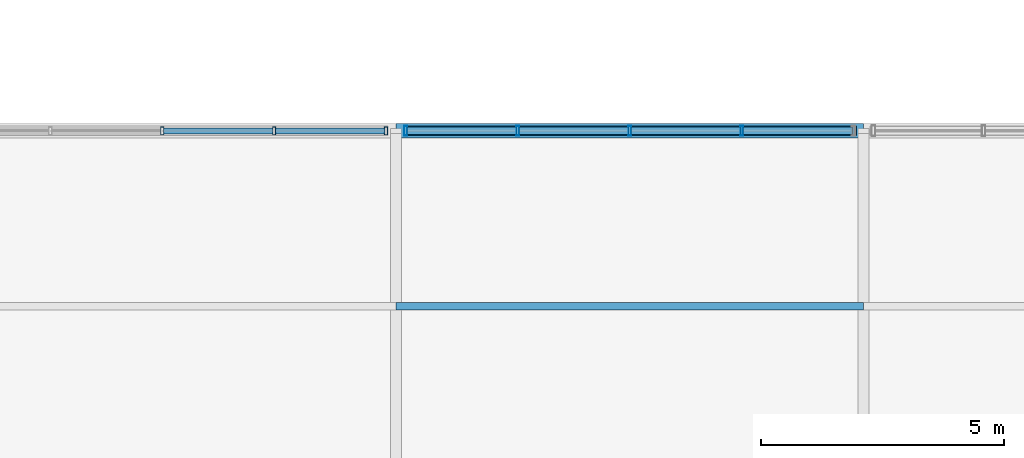
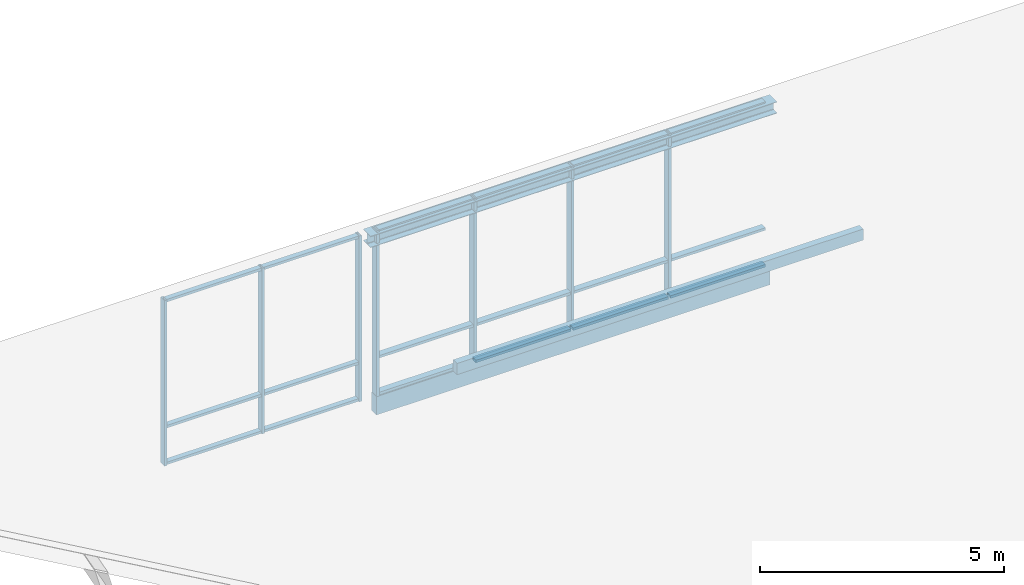
# One storey, part 19 of 32: 26 members, 2 beams, 2 elements without a shape of their own.
"""IFC4 building model written with IfcOpenShell, lengths in metres."""

import ifcopenshell
import ifcopenshell.guid

model = None  # the IFC model being written
_history = None  # IfcOwnerHistory: only IFC2X3 demands one
_inside = {}  # id of a spatial element -> (the spatial element, [elements in it])
_under = {}  # id of a project, library or spatial element -> (it, [spatial elements below it])
_declared = {}  # id of a project -> (the project, [libraries it declares])
_typed = {}  # id of a type object -> (the type object, [elements of that type])
_made_of = {}  # id of a material, layer set ... -> (it, [elements and type objects made of it])


def new_model(schema):
    """Start an empty IFC model of exactly this schema.

    Asked for "IFC4X3", IfcOpenShell would pick the latest addendum, in which some entities
    have other attributes; the version numbers below select the first issue.
    IFC2X3 requires an IfcOwnerHistory on every rooted entity: one is made here for all.
    """
    global model, _history
    if schema == "IFC4X3":
        model = ifcopenshell.file(schema_version=(4, 3, 0, 0))
    else:
        model = ifcopenshell.file(schema=schema)
    _inside.clear()
    _under.clear()
    _declared.clear()
    _typed.clear()
    _made_of.clear()
    _history = None
    if model.schema == "IFC2X3":
        org = make("IfcOrganization", Name="unknown")
        user = make(
            "IfcPersonAndOrganization",
            ThePerson=make("IfcPerson", FamilyName="unknown"),
            TheOrganization=org,
        )
        app = make(
            "IfcApplication",
            ApplicationDeveloper=org,
            Version="unknown",
            ApplicationFullName="unknown",
            ApplicationIdentifier="unknown",
        )
        _history = make(
            "IfcOwnerHistory",
            OwningUser=user,
            OwningApplication=app,
            ChangeAction="ADDED",
            CreationDate=0,
        )
    return model


def make(cls, **values):
    """One entity of the class cls with the attributes given. An attribute that is None is left unset."""
    return model.create_entity(
        cls, **{name: value for name, value in values.items() if value is not None}
    )


def rooted(cls, **values):
    """An entity with a GlobalId (a new one), such as an element, a storey or a relation."""
    return make(cls, GlobalId=ifcopenshell.guid.new(), OwnerHistory=_history, **values)


def si_unit(unit_type, name, prefix=None):
    """IfcSIUnit, for example si_unit("LENGTHUNIT", "METRE", prefix="MILLI")."""
    return make("IfcSIUnit", UnitType=unit_type, Prefix=prefix, Name=name)


def assignment(units):
    """IfcUnitAssignment: the units of a project."""
    return None if units is None else make("IfcUnitAssignment", Units=units)


def point(xyz):
    """IfcCartesianPoint."""
    return None if xyz is None else make("IfcCartesianPoint", Coordinates=xyz)


def direction(xyz):
    """IfcDirection."""
    return None if xyz is None else make("IfcDirection", DirectionRatios=xyz)


def frame(location, z_axis=None, x_axis=None):
    """IfcAxis2Placement3D, a coordinate frame: its origin and axes. An axis left out is left unset."""
    return make(
        "IfcAxis2Placement3D",
        Location=point(location),
        Axis=direction(z_axis),
        RefDirection=direction(x_axis),
    )


def frame_2d(location, x_axis=None):
    """IfcAxis2Placement2D, a coordinate frame in the plane: its origin and x axis."""
    return make(
        "IfcAxis2Placement2D", Location=point(location), RefDirection=direction(x_axis)
    )


def origin():
    """The frame at (0, 0, 0) with its axes left unset."""
    return frame((0.0, 0.0, 0.0))


def origin_2d():
    """The frame at (0, 0) in the plane with its x axis left unset."""
    return frame_2d((0.0, 0.0))


def place(relative_to, where):
    """IfcLocalPlacement: puts the frame where relative to a parent placement (None: the world)."""
    return make(
        "IfcLocalPlacement", PlacementRelTo=relative_to, RelativePlacement=where
    )


def context(
    kind, dimensions, precision=None, world=None, true_north=None, identifier=None
):
    """IfcGeometricRepresentationContext, for example the 3D "Model" context."""
    return make(
        "IfcGeometricRepresentationContext",
        ContextIdentifier=identifier,
        ContextType=kind,
        CoordinateSpaceDimension=dimensions,
        Precision=precision,
        WorldCoordinateSystem=world,
        TrueNorth=true_north,
    )


def subcontext(parent, identifier, kind, view, scale=None):
    """IfcGeometricRepresentationSubContext, for example "Body" below "Model"."""
    return make(
        "IfcGeometricRepresentationSubContext",
        ContextIdentifier=identifier,
        ContextType=kind,
        ParentContext=parent,
        TargetScale=scale,
        TargetView=view,
    )


def project(units=None, contexts=None):
    """IfcProject with its units and contexts."""
    return rooted(
        "IfcProject",
        Name="project",
        RepresentationContexts=contexts,
        UnitsInContext=assignment(units),
    )


def spatial(cls, under=None, at=None, **own):
    """A site, building, storey or space (cls), placed at a placement, below another one or the project."""
    s = rooted(cls, ObjectPlacement=at, **own)
    if under is not None:
        _under.setdefault(under.id(), (under, []))[1].append(s)
    return s


def profile(cls, at=None, kind="AREA", **sizes):
    """A parametric profile (cls). Its sizes go by their IFC names, for example OverallWidth=200.0."""
    return make(cls, ProfileType=kind, Position=at, **sizes)


def rectangle(**sizes):
    """IfcRectangleProfileDef."""
    return profile("IfcRectangleProfileDef", **sizes)


def hollow_rectangle(**sizes):
    """IfcRectangleHollowProfileDef."""
    return profile("IfcRectangleHollowProfileDef", **sizes)


def i_section(**sizes):
    """IfcIShapeProfileDef."""
    return profile("IfcIShapeProfileDef", **sizes)


def extrude(swept, where, along, depth):
    """IfcExtrudedAreaSolid: the profile swept, set in the frame where, extruded along a direction by depth."""
    return make(
        "IfcExtrudedAreaSolid",
        SweptArea=swept,
        Position=where,
        ExtrudedDirection=direction(along),
        Depth=depth,
    )


def shape(context_of_items, identifier, shape_type, items):
    """IfcShapeRepresentation: the items that make up one representation, for example the "Body"."""
    return make(
        "IfcShapeRepresentation",
        ContextOfItems=context_of_items,
        RepresentationIdentifier=identifier,
        RepresentationType=shape_type,
        Items=items,
    )


def material(Name=None, Category=None):
    """IfcMaterial."""
    return make("IfcMaterial", Name=Name, Category=Category)


def material_profile(
    of_material, cross_section, Name=None, Category=None, Priority=None
):
    """IfcMaterialProfile: a cross section and its material."""
    return make(
        "IfcMaterialProfile",
        Name=Name,
        Material=of_material,
        Profile=cross_section,
        Priority=Priority,
        Category=Category,
    )


def profile_set(profiles, Name=None, composite=None):
    """IfcMaterialProfileSet."""
    return make(
        "IfcMaterialProfileSet",
        Name=Name,
        MaterialProfiles=profiles,
        CompositeProfile=composite,
    )


def made_of(thing, what):
    """Note that an element or type object is made of a material, layer set ...; save() writes the relation."""
    if what is not None:
        _made_of.setdefault(what.id(), (what, []))[1].append(thing)
    return thing


def type_object(cls, material=None, **own):
    """A type object (cls), such as IfcWallType, which elements share."""
    return made_of(rooted(cls, **own), material)


def element(
    cls,
    number,
    at=None,
    inside=None,
    cuts=None,
    type_object=None,
    material=None,
    context=None,
    identifier="Body",
    shape_type=None,
    held_by="IfcProductDefinitionShape",
    body=None,
    shapes=None,
    **own,
):
    """One element of the class cls, such as IfcWall. Its Tag is "e" and its number.

    at: its placement. inside: the storey or other place that contains it. cuts: it is an
    opening in that element (IfcRelVoidsElement). A single representation is given by context,
    identifier, shape_type and body (its items); several are given by shapes. held_by: the class
    of the entity that holds the representations. save() writes the other relations.
    """
    e = rooted(cls, Tag="e%d" % number, ObjectPlacement=at, **own)
    if body is not None:
        shapes = [shape(context, identifier, shape_type, body)]
    if shapes is not None:
        e.Representation = make(held_by, Representations=shapes)
    if inside is not None:
        _inside.setdefault(inside.id(), (inside, []))[1].append(e)
    if cuts is not None:
        rooted(
            "IfcRelVoidsElement", RelatingBuildingElement=cuts, RelatedOpeningElement=e
        )
    if type_object is not None:
        _typed.setdefault(type_object.id(), (type_object, []))[1].append(e)
    return made_of(e, material)


def aggregate(whole, parts):
    """IfcRelAggregates: a whole, such as a stair, and the parts it consists of."""
    return rooted("IfcRelAggregates", RelatingObject=whole, RelatedObjects=parts)


def save(model, path):
    """Write the relations noted so far, then the file.

    IfcRelAggregates (storeys below a building ...), IfcRelContainedInSpatialStructure (elements
    in a storey), IfcRelDefinesByType, IfcRelAssociatesMaterial and IfcRelDeclares: one each for
    every whole, place, type object, material and project.
    """
    for whole, parts in _under.values():
        aggregate(whole, parts)
    for where, things in _inside.values():
        rooted(
            "IfcRelContainedInSpatialStructure",
            RelatedElements=things,
            RelatingStructure=where,
        )
    for kind, things in _typed.values():
        rooted("IfcRelDefinesByType", RelatedObjects=things, RelatingType=kind)
    for what, things in _made_of.values():
        rooted("IfcRelAssociatesMaterial", RelatedObjects=things, RelatingMaterial=what)
    for by, libraries in _declared.values():
        rooted("IfcRelDeclares", RelatingContext=by, RelatedDefinitions=libraries)
    model.write(path)


model = new_model("IFC4")

# Units and contexts
model_context = context("Model", 3, precision=1e-05, world=origin(), true_north=direction((0.0, 1.0)))
body_context = subcontext(model_context, "Body", "Model", "MODEL_VIEW")
ifc_project = project(units=[si_unit("LENGTHUNIT", "METRE"), si_unit("AREAUNIT", "SQUARE_METRE"), si_unit("VOLUMEUNIT", "CUBIC_METRE"), si_unit("PLANEANGLEUNIT", "RADIAN"), si_unit("MASSUNIT", "GRAM", prefix="KILO")], contexts=[model_context])

# Site, building, storey
site_placement = place(None, origin())
site = spatial("IfcSite", under=ifc_project, at=site_placement, CompositionType="ELEMENT")
building_placement = place(site_placement, origin())
building = spatial("IfcBuilding", under=site, at=building_placement, Name="Hawrajan Terrace Health Centre", CompositionType="ELEMENT")
storey_placement = place(building_placement, frame((0.0, 0.0, 17.39990234375)))
storey = spatial("IfcBuildingStorey", under=building, at=storey_placement, Name="L04", CompositionType="ELEMENT", Elevation=17.39990234375)

# Curtain wall, members
ifc_material_1 = material(Name="Anodized bronze aluminium and low-E solar glazing", Category="aluminium")
curtain_wall_type = type_object("IfcCurtainWallType", Name="CW_Clerestory_SeriesG2", PredefinedType="USERDEFINED", material=ifc_material_1)
curtain_wall_1_placement = place(storey_placement, origin())
curtain_wall_1 = element("IfcCurtainWall", 1, at=curtain_wall_1_placement, inside=storey, type_object=curtain_wall_type, Name="Curtain wall CW-L04-CLER-183", ObjectType="UNITISED CURTAIN WALL", PredefinedType="USERDEFINED")
ifc_material_2 = material(Name="Anodized bronze aluminium 6063-T6", Category="aluminium")
ifc_material_profile_1 = material_profile(ifc_material_2, hollow_rectangle(XDim=0.06494140625, YDim=0.159912109375, WallThickness=0.00390625, at=origin_2d()), Name="CW MUL 65x160")
ifc_profile_set_1 = profile_set([ifc_material_profile_1], Name="Anodized bronze aluminium 6063-T6")
member_type_1 = type_object("IfcMemberType", Name="CWMullion_65x160", PredefinedType="MULLION", material=ifc_profile_set_1)
member_1_placement = place(storey_placement, frame((86.199951171875, 18.60009765625, -0.204833984375), z_axis=(0.0, 0.0, 1.0), x_axis=(1.0, 0.0, 0.0)))
member_1 = element("IfcMember", 2, at=member_1_placement, type_object=member_type_1, Name="Mullion CW-L04-CLER-183-M3", PredefinedType="MULLION", context=body_context, shape_type="SweptSolid", body=[
    extrude(hollow_rectangle(XDim=0.06494140625, YDim=0.159912109375, WallThickness=0.00390625, at=origin_2d()), origin(), (0.0, 0.0, 1.0), 4.138916015625),
])
member_2_placement = place(storey_placement, frame((88.498779296875, 18.60009765625, -0.204833984375), z_axis=(0.0, 0.0, 1.0), x_axis=(1.0, 0.0, 0.0)))
member_2 = element("IfcMember", 3, at=member_2_placement, type_object=member_type_1, Name="Mullion CW-L04-CLER-183-M4", PredefinedType="MULLION", context=body_context, shape_type="SweptSolid", body=[
    extrude(hollow_rectangle(XDim=0.06494140625, YDim=0.159912109375, WallThickness=0.00390625, at=origin_2d()), origin(), (0.0, 0.0, 1.0), 4.138916015625),
])
member_3_placement = place(storey_placement, frame((90.797607421875, 18.60009765625, -0.204833984375), z_axis=(0.0, 0.0, 1.0), x_axis=(1.0, 0.0, 0.0)))
member_3 = element("IfcMember", 4, at=member_3_placement, type_object=member_type_1, Name="Mullion CW-L04-CLER-183-M5", PredefinedType="MULLION", context=body_context, shape_type="SweptSolid", body=[
    extrude(hollow_rectangle(XDim=0.06494140625, YDim=0.159912109375, WallThickness=0.00390625, at=origin_2d()), origin(), (0.0, 0.0, 1.0), 4.138916015625),
])

curtain_wall_2_placement = place(storey_placement, origin())
curtain_wall_2 = element("IfcCurtainWall", 5, at=curtain_wall_2_placement, inside=storey, type_object=curtain_wall_type, Name="Curtain wall CW-L04-CLER-184", ObjectType="UNITISED CURTAIN WALL", PredefinedType="USERDEFINED")
ifc_material_profile_2 = material_profile(ifc_material_2, hollow_rectangle(XDim=0.06494140625, YDim=0.199951171875, WallThickness=0.00439453125, at=origin_2d()), Name="CW MUL 65x200")
ifc_profile_set_2 = profile_set([ifc_material_profile_2], Name="Anodized bronze aluminium 6063-T6")
member_type_2 = type_object("IfcMemberType", Name="CWMullion_65x200", PredefinedType="MULLION", material=ifc_profile_set_2)
member_4_placement = place(storey_placement, frame((91.202392578125, 18.60009765625, -0.204833984375), z_axis=(0.0, 0.0, 1.0), x_axis=(1.0, 0.0, 0.0)))
member_4 = element("IfcMember", 6, at=member_4_placement, type_object=member_type_2, Name="Mullion CW-L04-CLER-184-M1", PredefinedType="MULLION", context=body_context, shape_type="SweptSolid", body=[
    extrude(hollow_rectangle(XDim=0.06494140625, YDim=0.199951171875, WallThickness=0.00439453125, at=origin_2d()), origin(), (0.0, 0.0, 1.0), 4.138916015625),
])
member_5_placement = place(storey_placement, frame((93.501220703125, 18.60009765625, -0.204833984375), z_axis=(0.0, 0.0, 1.0), x_axis=(1.0, 0.0, 0.0)))
member_5 = element("IfcMember", 7, at=member_5_placement, type_object=member_type_2, Name="Mullion CW-L04-CLER-184-M2", PredefinedType="MULLION", context=body_context, shape_type="SweptSolid", body=[
    extrude(hollow_rectangle(XDim=0.06494140625, YDim=0.199951171875, WallThickness=0.00439453125, at=origin_2d()), origin(), (0.0, 0.0, 1.0), 4.138916015625),
])
member_6_placement = place(storey_placement, frame((95.800048828125, 18.60009765625, -0.204833984375), z_axis=(0.0, 0.0, 1.0), x_axis=(1.0, 0.0, 0.0)))
member_6 = element("IfcMember", 8, at=member_6_placement, type_object=member_type_2, Name="Mullion CW-L04-CLER-184-M3", PredefinedType="MULLION", context=body_context, shape_type="SweptSolid", body=[
    extrude(hollow_rectangle(XDim=0.06494140625, YDim=0.199951171875, WallThickness=0.00439453125, at=origin_2d()), origin(), (0.0, 0.0, 1.0), 4.138916015625),
])
member_7_placement = place(storey_placement, frame((98.098876953125, 18.60009765625, -0.204833984375), z_axis=(0.0, 0.0, 1.0), x_axis=(1.0, 0.0, 0.0)))
member_7 = element("IfcMember", 9, at=member_7_placement, type_object=member_type_2, Name="Mullion CW-L04-CLER-184-M4", PredefinedType="MULLION", context=body_context, shape_type="SweptSolid", body=[
    extrude(hollow_rectangle(XDim=0.06494140625, YDim=0.199951171875, WallThickness=0.00439453125, at=origin_2d()), origin(), (0.0, 0.0, 1.0), 4.138916015625),
])

# Member
ifc_material_profile_3 = material_profile(ifc_material_2, hollow_rectangle(XDim=0.06494140625, YDim=0.1201171875, WallThickness=0.00341796875, at=origin_2d()), Name="CW TRN 65x120")
ifc_profile_set_3 = profile_set([ifc_material_profile_3], Name="Anodized bronze aluminium 6063-T6")
member_type_3 = type_object("IfcMemberType", Name="CWTransom_65x120", PredefinedType="USERDEFINED", material=ifc_profile_set_3)
member_8_placement = place(storey_placement, frame((86.2265625, 18.60009765625, -0.16748046875), z_axis=(1.0, 0.0, 0.0), x_axis=(0.0, 0.0, 1.0)))
member_8 = element("IfcMember", 10, at=member_8_placement, type_object=member_type_3, Name="Transom CW-L04-CLER-183-T3-1", ObjectType="TRANSOM", PredefinedType="USERDEFINED", context=body_context, shape_type="SweptSolid", body=[
    extrude(hollow_rectangle(XDim=0.06494140625, YDim=0.1201171875, WallThickness=0.00341796875, at=origin_2d()), origin(), (0.0, 0.0, 1.0), 2.245849609375),
])

member_9_placement = place(storey_placement, frame((86.2265625, 18.60009765625, 0.75), z_axis=(1.0, 0.0, 0.0), x_axis=(0.0, 0.0, 1.0)))
member_9 = element("IfcMember", 11, at=member_9_placement, type_object=member_type_3, Name="Transom CW-L04-CLER-183-T3-2", ObjectType="TRANSOM", PredefinedType="USERDEFINED", context=body_context, shape_type="SweptSolid", body=[
    extrude(hollow_rectangle(XDim=0.06494140625, YDim=0.1201171875, WallThickness=0.00341796875, at=origin_2d()), origin(), (0.0, 0.0, 1.0), 2.245849609375),
])

member_10_placement = place(storey_placement, frame((86.2265625, 18.60009765625, 3.896728515625), z_axis=(1.0, 0.0, 0.0), x_axis=(0.0, 0.0, 1.0)))
member_10 = element("IfcMember", 12, at=member_10_placement, type_object=member_type_3, Name="Transom CW-L04-CLER-183-T3-3", ObjectType="TRANSOM", PredefinedType="USERDEFINED", context=body_context, shape_type="SweptSolid", body=[
    extrude(hollow_rectangle(XDim=0.06494140625, YDim=0.1201171875, WallThickness=0.00341796875, at=origin_2d()), origin(), (0.0, 0.0, 1.0), 2.245849609375),
])

member_11_placement = place(storey_placement, frame((88.525146484375, 18.60009765625, -0.16748046875), z_axis=(1.0, 0.0, 0.0), x_axis=(0.0, 0.0, 1.0)))
member_11 = element("IfcMember", 13, at=member_11_placement, type_object=member_type_3, Name="Transom CW-L04-CLER-183-T4-1", ObjectType="TRANSOM", PredefinedType="USERDEFINED", context=body_context, shape_type="SweptSolid", body=[
    extrude(hollow_rectangle(XDim=0.06494140625, YDim=0.1201171875, WallThickness=0.00341796875, at=origin_2d()), origin(), (0.0, 0.0, 1.0), 2.245849609375),
])

member_12_placement = place(storey_placement, frame((88.525146484375, 18.60009765625, 0.75), z_axis=(1.0, 0.0, 0.0), x_axis=(0.0, 0.0, 1.0)))
member_12 = element("IfcMember", 14, at=member_12_placement, type_object=member_type_3, Name="Transom CW-L04-CLER-183-T4-2", ObjectType="TRANSOM", PredefinedType="USERDEFINED", context=body_context, shape_type="SweptSolid", body=[
    extrude(hollow_rectangle(XDim=0.06494140625, YDim=0.1201171875, WallThickness=0.00341796875, at=origin_2d()), origin(), (0.0, 0.0, 1.0), 2.245849609375),
])

member_13_placement = place(storey_placement, frame((88.525146484375, 18.60009765625, 3.896728515625), z_axis=(1.0, 0.0, 0.0), x_axis=(0.0, 0.0, 1.0)))
member_13 = element("IfcMember", 15, at=member_13_placement, type_object=member_type_3, Name="Transom CW-L04-CLER-183-T4-3", ObjectType="TRANSOM", PredefinedType="USERDEFINED", context=body_context, shape_type="SweptSolid", body=[
    extrude(hollow_rectangle(XDim=0.06494140625, YDim=0.1201171875, WallThickness=0.00341796875, at=origin_2d()), origin(), (0.0, 0.0, 1.0), 2.245849609375),
])

aggregate(curtain_wall_1, [member_1, member_2, member_3, member_8, member_9, member_10, member_11, member_12, member_13])

ifc_material_profile_4 = material_profile(ifc_material_2, hollow_rectangle(XDim=0.06494140625, YDim=0.14990234375, WallThickness=0.00390625, at=origin_2d()), Name="CW TRN 65x150")
ifc_profile_set_4 = profile_set([ifc_material_profile_4], Name="Anodized bronze aluminium 6063-T6")
member_type_4 = type_object("IfcMemberType", Name="CWTransom_65x150", PredefinedType="USERDEFINED", material=ifc_profile_set_4)
member_14_placement = place(storey_placement, frame((91.22900390625, 18.60009765625, -0.16748046875), z_axis=(1.0, 0.0, 0.0), x_axis=(0.0, 0.0, 1.0)))
member_14 = element("IfcMember", 16, at=member_14_placement, type_object=member_type_4, Name="Transom CW-L04-CLER-184-T1-1", ObjectType="TRANSOM", PredefinedType="USERDEFINED", context=body_context, shape_type="SweptSolid", body=[
    extrude(hollow_rectangle(XDim=0.06494140625, YDim=0.14990234375, WallThickness=0.00390625, at=origin_2d()), origin(), (0.0, 0.0, 1.0), 2.245849609375),
])

member_15_placement = place(storey_placement, frame((91.22900390625, 18.60009765625, 0.75), z_axis=(1.0, 0.0, 0.0), x_axis=(0.0, 0.0, 1.0)))
member_15 = element("IfcMember", 17, at=member_15_placement, type_object=member_type_4, Name="Transom CW-L04-CLER-184-T1-2", ObjectType="TRANSOM", PredefinedType="USERDEFINED", context=body_context, shape_type="SweptSolid", body=[
    extrude(hollow_rectangle(XDim=0.06494140625, YDim=0.14990234375, WallThickness=0.00390625, at=origin_2d()), origin(), (0.0, 0.0, 1.0), 2.245849609375),
])

member_16_placement = place(storey_placement, frame((91.22900390625, 18.60009765625, 3.896728515625), z_axis=(1.0, 0.0, 0.0), x_axis=(0.0, 0.0, 1.0)))
member_16 = element("IfcMember", 18, at=member_16_placement, type_object=member_type_4, Name="Transom CW-L04-CLER-184-T1-3", ObjectType="TRANSOM", PredefinedType="USERDEFINED", context=body_context, shape_type="SweptSolid", body=[
    extrude(hollow_rectangle(XDim=0.06494140625, YDim=0.14990234375, WallThickness=0.00390625, at=origin_2d()), origin(), (0.0, 0.0, 1.0), 2.245849609375),
])

member_17_placement = place(storey_placement, frame((93.527587890625, 18.60009765625, -0.16748046875), z_axis=(1.0, 0.0, 0.0), x_axis=(0.0, 0.0, 1.0)))
member_17 = element("IfcMember", 19, at=member_17_placement, type_object=member_type_4, Name="Transom CW-L04-CLER-184-T2-1", ObjectType="TRANSOM", PredefinedType="USERDEFINED", context=body_context, shape_type="SweptSolid", body=[
    extrude(hollow_rectangle(XDim=0.06494140625, YDim=0.14990234375, WallThickness=0.00390625, at=origin_2d()), origin(), (0.0, 0.0, 1.0), 2.245849609375),
])

member_18_placement = place(storey_placement, frame((93.527587890625, 18.60009765625, 0.75), z_axis=(1.0, 0.0, 0.0), x_axis=(0.0, 0.0, 1.0)))
member_18 = element("IfcMember", 20, at=member_18_placement, type_object=member_type_4, Name="Transom CW-L04-CLER-184-T2-2", ObjectType="TRANSOM", PredefinedType="USERDEFINED", context=body_context, shape_type="SweptSolid", body=[
    extrude(hollow_rectangle(XDim=0.06494140625, YDim=0.14990234375, WallThickness=0.00390625, at=origin_2d()), origin(), (0.0, 0.0, 1.0), 2.245849609375),
])

member_19_placement = place(storey_placement, frame((93.527587890625, 18.60009765625, 3.896728515625), z_axis=(1.0, 0.0, 0.0), x_axis=(0.0, 0.0, 1.0)))
member_19 = element("IfcMember", 21, at=member_19_placement, type_object=member_type_4, Name="Transom CW-L04-CLER-184-T2-3", ObjectType="TRANSOM", PredefinedType="USERDEFINED", context=body_context, shape_type="SweptSolid", body=[
    extrude(hollow_rectangle(XDim=0.06494140625, YDim=0.14990234375, WallThickness=0.00390625, at=origin_2d()), origin(), (0.0, 0.0, 1.0), 2.245849609375),
])

member_20_placement = place(storey_placement, frame((95.826416015625, 18.60009765625, -0.16748046875), z_axis=(1.0, 0.0, 0.0), x_axis=(0.0, 0.0, 1.0)))
member_20 = element("IfcMember", 22, at=member_20_placement, type_object=member_type_4, Name="Transom CW-L04-CLER-184-T3-1", ObjectType="TRANSOM", PredefinedType="USERDEFINED", context=body_context, shape_type="SweptSolid", body=[
    extrude(hollow_rectangle(XDim=0.06494140625, YDim=0.14990234375, WallThickness=0.00390625, at=origin_2d()), origin(), (0.0, 0.0, 1.0), 2.245849609375),
])

member_21_placement = place(storey_placement, frame((95.826416015625, 18.60009765625, 0.75), z_axis=(1.0, 0.0, 0.0), x_axis=(0.0, 0.0, 1.0)))
member_21 = element("IfcMember", 23, at=member_21_placement, type_object=member_type_4, Name="Transom CW-L04-CLER-184-T3-2", ObjectType="TRANSOM", PredefinedType="USERDEFINED", context=body_context, shape_type="SweptSolid", body=[
    extrude(hollow_rectangle(XDim=0.06494140625, YDim=0.14990234375, WallThickness=0.00390625, at=origin_2d()), origin(), (0.0, 0.0, 1.0), 2.245849609375),
])

member_22_placement = place(storey_placement, frame((95.826416015625, 18.60009765625, 3.896728515625), z_axis=(1.0, 0.0, 0.0), x_axis=(0.0, 0.0, 1.0)))
member_22 = element("IfcMember", 24, at=member_22_placement, type_object=member_type_4, Name="Transom CW-L04-CLER-184-T3-3", ObjectType="TRANSOM", PredefinedType="USERDEFINED", context=body_context, shape_type="SweptSolid", body=[
    extrude(hollow_rectangle(XDim=0.06494140625, YDim=0.14990234375, WallThickness=0.00390625, at=origin_2d()), origin(), (0.0, 0.0, 1.0), 2.245849609375),
])

member_23_placement = place(storey_placement, frame((98.125244140625, 18.60009765625, -0.16748046875), z_axis=(1.0, 0.0, 0.0), x_axis=(0.0, 0.0, 1.0)))
member_23 = element("IfcMember", 25, at=member_23_placement, type_object=member_type_4, Name="Transom CW-L04-CLER-184-T4-1", ObjectType="TRANSOM", PredefinedType="USERDEFINED", context=body_context, shape_type="SweptSolid", body=[
    extrude(hollow_rectangle(XDim=0.06494140625, YDim=0.14990234375, WallThickness=0.00390625, at=origin_2d()), origin(), (0.0, 0.0, 1.0), 2.245849609375),
])

member_24_placement = place(storey_placement, frame((98.125244140625, 18.60009765625, 0.75), z_axis=(1.0, 0.0, 0.0), x_axis=(0.0, 0.0, 1.0)))
member_24 = element("IfcMember", 26, at=member_24_placement, type_object=member_type_4, Name="Transom CW-L04-CLER-184-T4-2", ObjectType="TRANSOM", PredefinedType="USERDEFINED", context=body_context, shape_type="SweptSolid", body=[
    extrude(hollow_rectangle(XDim=0.06494140625, YDim=0.14990234375, WallThickness=0.00390625, at=origin_2d()), origin(), (0.0, 0.0, 1.0), 2.245849609375),
])

member_25_placement = place(storey_placement, frame((98.125244140625, 18.60009765625, 3.896728515625), z_axis=(1.0, 0.0, 0.0), x_axis=(0.0, 0.0, 1.0)))
member_25 = element("IfcMember", 27, at=member_25_placement, type_object=member_type_4, Name="Transom CW-L04-CLER-184-T4-3", ObjectType="TRANSOM", PredefinedType="USERDEFINED", context=body_context, shape_type="SweptSolid", body=[
    extrude(hollow_rectangle(XDim=0.06494140625, YDim=0.14990234375, WallThickness=0.00390625, at=origin_2d()), origin(), (0.0, 0.0, 1.0), 2.245849609375),
])

aggregate(curtain_wall_2, [member_4, member_5, member_6, member_7, member_14, member_15, member_16, member_17, member_18, member_19, member_20, member_21, member_22, member_23, member_24, member_25])

# Beam
ifc_material_3 = material(Name="Glulam GL32h", Category="wood")
ifc_material_profile_5 = material_profile(ifc_material_3, rectangle(XDim=0.199951171875, YDim=0.4599609375, at=origin_2d()), Name="GL SP 200x460")
ifc_profile_set_5 = profile_set([ifc_material_profile_5], Name="Glulam GL32h")
beam_type_1 = type_object("IfcBeamType", Name="GlulamSpandrel_200x460", PredefinedType="SPANDREL", material=ifc_profile_set_5)
beam_1_placement = place(storey_placement, frame((91.159912109375, 18.60009765625, -0.429931640625), z_axis=(1.0, 0.0, 0.0), x_axis=(0.0, 1.0, 0.0)))
element("IfcBeam", 28, at=beam_1_placement, inside=storey, type_object=beam_type_1, Name="Beam BM-X-L04-C-12-Y3", PredefinedType="SPANDREL", context=body_context, shape_type="SweptSolid", body=[
    extrude(rectangle(XDim=0.199951171875, YDim=0.4599609375, at=origin_2d()), origin(), (0.0, 0.0, 1.0), 9.300048828125),
])

# Member
ifc_material_4 = material(Name="Glulam GL28h", Category="wood")
ifc_material_profile_6 = material_profile(ifc_material_4, rectangle(XDim=0.159912109375, YDim=0.280029296875, at=origin_2d()), Name="GL PUR 160x280")
ifc_profile_set_6 = profile_set([ifc_material_profile_6], Name="Glulam GL28h")
member_type_5 = type_object("IfcMemberType", Name="RoofPurlin_160x280", PredefinedType="PURLIN", material=ifc_profile_set_6)
member_26_placement = place(storey_placement, frame((91.0, 15.0, 2.717041015625), z_axis=(1.0, 0.0, 0.0), x_axis=(0.0, 1.0, 0.0)))
element("IfcMember", 29, at=member_26_placement, inside=storey, type_object=member_type_5, Name="North-light purlin C-3-3", PredefinedType="PURLIN", context=body_context, shape_type="SweptSolid", body=[
    extrude(rectangle(XDim=0.159912109375, YDim=0.280029296875, at=origin_2d()), origin(), (0.0, 0.0, 1.0), 9.60009765625),
])

# Beam
ifc_material_5 = material(Name="Steel S355", Category="steel")
ifc_material_profile_7 = material_profile(ifc_material_5, i_section(OverallWidth=0.300048828125, OverallDepth=0.2900390625, WebThickness=0.008544921875, FlangeThickness=0.013916015625, FilletRadius=0.027099609375, at=origin_2d()), Name="HEA 300")
ifc_profile_set_7 = profile_set([ifc_material_profile_7], Name="Steel S355")
beam_type_2 = type_object("IfcBeamType", Name="SteelBeam_HEA300", PredefinedType="BEAM", material=ifc_profile_set_7)
beam_2_placement = place(storey_placement, frame((91.0, 18.60009765625, 3.749267578125), z_axis=(1.0, 0.0, 0.0), x_axis=(0.0, 1.0, 0.0)))
element("IfcBeam", 30, at=beam_2_placement, inside=storey, type_object=beam_type_2, Name="Clerestory head beam C-3", PredefinedType="BEAM", context=body_context, shape_type="SweptSolid", body=[
    extrude(i_section(OverallWidth=0.300048828125, OverallDepth=0.2900390625, WebThickness=0.008544921875, FlangeThickness=0.013916015625, FilletRadius=0.027099609375, at=origin_2d()), origin(), (0.0, 0.0, 1.0), 9.60009765625),
])

save(model, "model.ifc")
